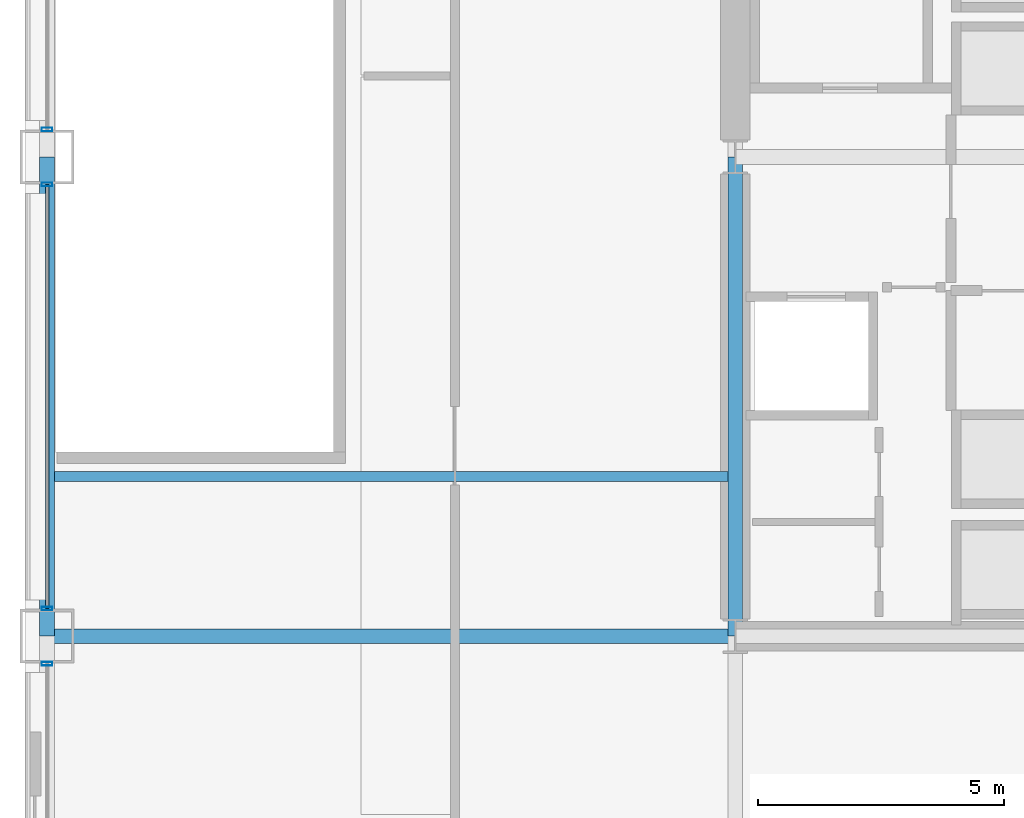
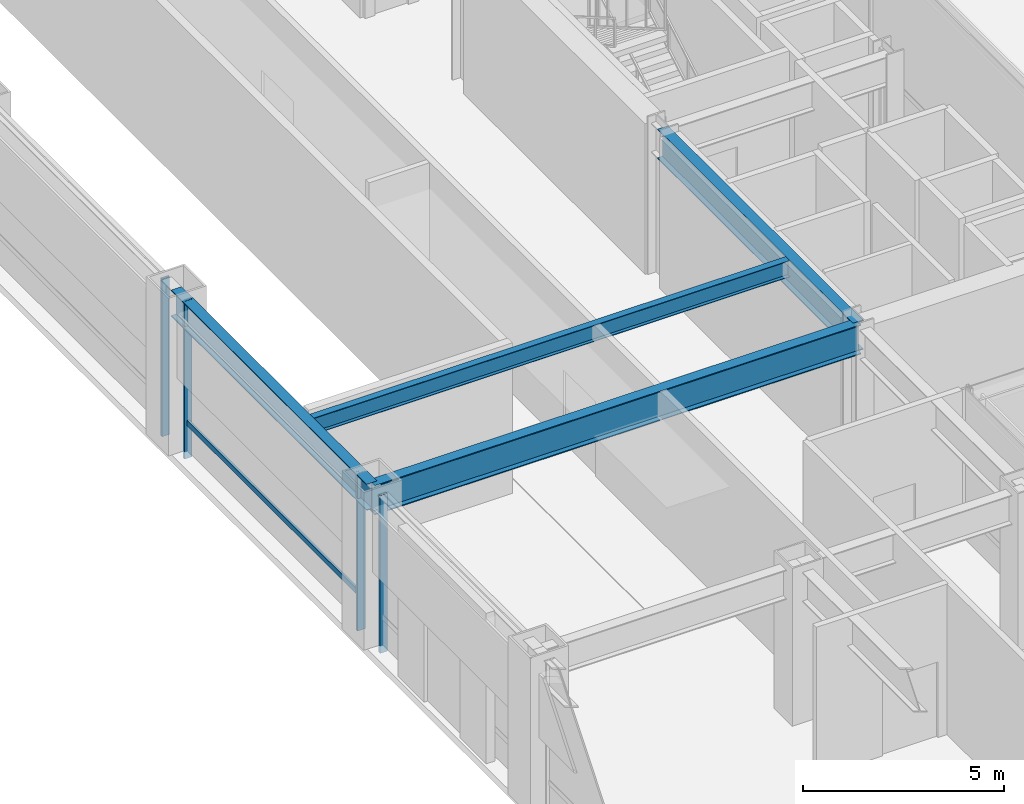
# One storey, part 5 of 37: 5 members, 4 beams, 3 elements without a shape of their own.
"""IFC4 building model written with IfcOpenShell, lengths in metres."""

import ifcopenshell
import ifcopenshell.guid

model = None  # the IFC model being written
_history = None  # IfcOwnerHistory: only IFC2X3 demands one
_inside = {}  # id of a spatial element -> (the spatial element, [elements in it])
_under = {}  # id of a project, library or spatial element -> (it, [spatial elements below it])
_declared = {}  # id of a project -> (the project, [libraries it declares])
_typed = {}  # id of a type object -> (the type object, [elements of that type])
_made_of = {}  # id of a material, layer set ... -> (it, [elements and type objects made of it])


def new_model(schema):
    """Start an empty IFC model of exactly this schema.

    Asked for "IFC4X3", IfcOpenShell would pick the latest addendum, in which some entities
    have other attributes; the version numbers below select the first issue.
    IFC2X3 requires an IfcOwnerHistory on every rooted entity: one is made here for all.
    """
    global model, _history
    if schema == "IFC4X3":
        model = ifcopenshell.file(schema_version=(4, 3, 0, 0))
    else:
        model = ifcopenshell.file(schema=schema)
    _inside.clear()
    _under.clear()
    _declared.clear()
    _typed.clear()
    _made_of.clear()
    _history = None
    if model.schema == "IFC2X3":
        org = make("IfcOrganization", Name="unknown")
        user = make(
            "IfcPersonAndOrganization",
            ThePerson=make("IfcPerson", FamilyName="unknown"),
            TheOrganization=org,
        )
        app = make(
            "IfcApplication",
            ApplicationDeveloper=org,
            Version="unknown",
            ApplicationFullName="unknown",
            ApplicationIdentifier="unknown",
        )
        _history = make(
            "IfcOwnerHistory",
            OwningUser=user,
            OwningApplication=app,
            ChangeAction="ADDED",
            CreationDate=0,
        )
    return model


def make(cls, **values):
    """One entity of the class cls with the attributes given. An attribute that is None is left unset."""
    return model.create_entity(
        cls, **{name: value for name, value in values.items() if value is not None}
    )


def rooted(cls, **values):
    """An entity with a GlobalId (a new one), such as an element, a storey or a relation."""
    return make(cls, GlobalId=ifcopenshell.guid.new(), OwnerHistory=_history, **values)


def si_unit(unit_type, name, prefix=None):
    """IfcSIUnit, for example si_unit("LENGTHUNIT", "METRE", prefix="MILLI")."""
    return make("IfcSIUnit", UnitType=unit_type, Prefix=prefix, Name=name)


def assignment(units):
    """IfcUnitAssignment: the units of a project."""
    return None if units is None else make("IfcUnitAssignment", Units=units)


def point(xyz):
    """IfcCartesianPoint."""
    return None if xyz is None else make("IfcCartesianPoint", Coordinates=xyz)


def direction(xyz):
    """IfcDirection."""
    return None if xyz is None else make("IfcDirection", DirectionRatios=xyz)


def frame(location, z_axis=None, x_axis=None):
    """IfcAxis2Placement3D, a coordinate frame: its origin and axes. An axis left out is left unset."""
    return make(
        "IfcAxis2Placement3D",
        Location=point(location),
        Axis=direction(z_axis),
        RefDirection=direction(x_axis),
    )


def frame_2d(location, x_axis=None):
    """IfcAxis2Placement2D, a coordinate frame in the plane: its origin and x axis."""
    return make(
        "IfcAxis2Placement2D", Location=point(location), RefDirection=direction(x_axis)
    )


def origin():
    """The frame at (0, 0, 0) with its axes left unset."""
    return frame((0.0, 0.0, 0.0))


def origin_2d():
    """The frame at (0, 0) in the plane with its x axis left unset."""
    return frame_2d((0.0, 0.0))


def place(relative_to, where):
    """IfcLocalPlacement: puts the frame where relative to a parent placement (None: the world)."""
    return make(
        "IfcLocalPlacement", PlacementRelTo=relative_to, RelativePlacement=where
    )


def context(
    kind, dimensions, precision=None, world=None, true_north=None, identifier=None
):
    """IfcGeometricRepresentationContext, for example the 3D "Model" context."""
    return make(
        "IfcGeometricRepresentationContext",
        ContextIdentifier=identifier,
        ContextType=kind,
        CoordinateSpaceDimension=dimensions,
        Precision=precision,
        WorldCoordinateSystem=world,
        TrueNorth=true_north,
    )


def subcontext(parent, identifier, kind, view, scale=None):
    """IfcGeometricRepresentationSubContext, for example "Body" below "Model"."""
    return make(
        "IfcGeometricRepresentationSubContext",
        ContextIdentifier=identifier,
        ContextType=kind,
        ParentContext=parent,
        TargetScale=scale,
        TargetView=view,
    )


def project(units=None, contexts=None):
    """IfcProject with its units and contexts."""
    return rooted(
        "IfcProject",
        Name="project",
        RepresentationContexts=contexts,
        UnitsInContext=assignment(units),
    )


def spatial(cls, under=None, at=None, **own):
    """A site, building, storey or space (cls), placed at a placement, below another one or the project."""
    s = rooted(cls, ObjectPlacement=at, **own)
    if under is not None:
        _under.setdefault(under.id(), (under, []))[1].append(s)
    return s


def profile(cls, at=None, kind="AREA", **sizes):
    """A parametric profile (cls). Its sizes go by their IFC names, for example OverallWidth=200.0."""
    return make(cls, ProfileType=kind, Position=at, **sizes)


def hollow_rectangle(**sizes):
    """IfcRectangleHollowProfileDef."""
    return profile("IfcRectangleHollowProfileDef", **sizes)


def i_section(**sizes):
    """IfcIShapeProfileDef."""
    return profile("IfcIShapeProfileDef", **sizes)


def extrude(swept, where, along, depth):
    """IfcExtrudedAreaSolid: the profile swept, set in the frame where, extruded along a direction by depth."""
    return make(
        "IfcExtrudedAreaSolid",
        SweptArea=swept,
        Position=where,
        ExtrudedDirection=direction(along),
        Depth=depth,
    )


def shape(context_of_items, identifier, shape_type, items):
    """IfcShapeRepresentation: the items that make up one representation, for example the "Body"."""
    return make(
        "IfcShapeRepresentation",
        ContextOfItems=context_of_items,
        RepresentationIdentifier=identifier,
        RepresentationType=shape_type,
        Items=items,
    )


def material(Name=None, Category=None):
    """IfcMaterial."""
    return make("IfcMaterial", Name=Name, Category=Category)


def layer(
    of_material, thickness, ventilated=None, Name=None, Category=None, Priority=None
):
    """IfcMaterialLayer: one layer of a wall or slab, of a material (None: an air gap)."""
    return make(
        "IfcMaterialLayer",
        Material=of_material,
        LayerThickness=thickness,
        IsVentilated=ventilated,
        Name=Name,
        Category=Category,
        Priority=Priority,
    )


def layer_set(layers, Name=None):
    """IfcMaterialLayerSet."""
    return make("IfcMaterialLayerSet", MaterialLayers=layers, LayerSetName=Name)


def material_profile(
    of_material, cross_section, Name=None, Category=None, Priority=None
):
    """IfcMaterialProfile: a cross section and its material."""
    return make(
        "IfcMaterialProfile",
        Name=Name,
        Material=of_material,
        Profile=cross_section,
        Priority=Priority,
        Category=Category,
    )


def profile_set(profiles, Name=None, composite=None):
    """IfcMaterialProfileSet."""
    return make(
        "IfcMaterialProfileSet",
        Name=Name,
        MaterialProfiles=profiles,
        CompositeProfile=composite,
    )


def made_of(thing, what):
    """Note that an element or type object is made of a material, layer set ...; save() writes the relation."""
    if what is not None:
        _made_of.setdefault(what.id(), (what, []))[1].append(thing)
    return thing


def type_object(cls, material=None, **own):
    """A type object (cls), such as IfcWallType, which elements share."""
    return made_of(rooted(cls, **own), material)


def element(
    cls,
    number,
    at=None,
    inside=None,
    cuts=None,
    type_object=None,
    material=None,
    context=None,
    identifier="Body",
    shape_type=None,
    held_by="IfcProductDefinitionShape",
    body=None,
    shapes=None,
    **own,
):
    """One element of the class cls, such as IfcWall. Its Tag is "e" and its number.

    at: its placement. inside: the storey or other place that contains it. cuts: it is an
    opening in that element (IfcRelVoidsElement). A single representation is given by context,
    identifier, shape_type and body (its items); several are given by shapes. held_by: the class
    of the entity that holds the representations. save() writes the other relations.
    """
    e = rooted(cls, Tag="e%d" % number, ObjectPlacement=at, **own)
    if body is not None:
        shapes = [shape(context, identifier, shape_type, body)]
    if shapes is not None:
        e.Representation = make(held_by, Representations=shapes)
    if inside is not None:
        _inside.setdefault(inside.id(), (inside, []))[1].append(e)
    if cuts is not None:
        rooted(
            "IfcRelVoidsElement", RelatingBuildingElement=cuts, RelatedOpeningElement=e
        )
    if type_object is not None:
        _typed.setdefault(type_object.id(), (type_object, []))[1].append(e)
    return made_of(e, material)


def aggregate(whole, parts):
    """IfcRelAggregates: a whole, such as a stair, and the parts it consists of."""
    return rooted("IfcRelAggregates", RelatingObject=whole, RelatedObjects=parts)


def save(model, path):
    """Write the relations noted so far, then the file.

    IfcRelAggregates (storeys below a building ...), IfcRelContainedInSpatialStructure (elements
    in a storey), IfcRelDefinesByType, IfcRelAssociatesMaterial and IfcRelDeclares: one each for
    every whole, place, type object, material and project.
    """
    for whole, parts in _under.values():
        aggregate(whole, parts)
    for where, things in _inside.values():
        rooted(
            "IfcRelContainedInSpatialStructure",
            RelatedElements=things,
            RelatingStructure=where,
        )
    for kind, things in _typed.values():
        rooted("IfcRelDefinesByType", RelatedObjects=things, RelatingType=kind)
    for what, things in _made_of.values():
        rooted("IfcRelAssociatesMaterial", RelatedObjects=things, RelatingMaterial=what)
    for by, libraries in _declared.values():
        rooted("IfcRelDeclares", RelatingContext=by, RelatedDefinitions=libraries)
    model.write(path)


model = new_model("IFC4")

# Units and contexts
model_context = context("Model", 3, precision=1e-05, world=origin(), true_north=direction((0.0, 1.0)))
body_context = subcontext(model_context, "Body", "Model", "MODEL_VIEW")
ifc_project = project(units=[si_unit("LENGTHUNIT", "METRE"), si_unit("AREAUNIT", "SQUARE_METRE"), si_unit("VOLUMEUNIT", "CUBIC_METRE"), si_unit("PLANEANGLEUNIT", "RADIAN"), si_unit("MASSUNIT", "GRAM", prefix="KILO")], contexts=[model_context])

# Site, building, storey
site_placement = place(None, origin())
site = spatial("IfcSite", under=ifc_project, at=site_placement, CompositionType="ELEMENT")
building_placement = place(site_placement, origin())
building = spatial("IfcBuilding", under=site, at=building_placement, Name="Brelmoor Portico Tower", CompositionType="ELEMENT")
storey_placement = place(building_placement, origin())
storey = spatial("IfcBuildingStorey", under=building, at=storey_placement, Name="L00", CompositionType="ELEMENT", Elevation=0.0)

# Beams
ifc_material_1 = material(Name="Steel Q355B", Category="steel")
ifc_material_profile_1 = material_profile(ifc_material_1, i_section(OverallWidth=0.199951171875, OverallDepth=0.5, WebThickness=0.010009765625, FlangeThickness=0.01611328125, at=origin_2d()), Name="HN 500x200x10x16")
ifc_profile_set_1 = profile_set([ifc_material_profile_1], Name="Steel Q355B")
beam_type_1 = type_object("IfcBeamType", Name="BM-JS-500", PredefinedType="JOIST", material=ifc_profile_set_1)
beam_1_placement = place(storey_placement, frame((-28.39990234375, -6.5, 4.330078125), z_axis=(1.0, 0.0, 0.0), x_axis=(0.0, 1.0, 0.0)))
element("IfcBeam", 1, at=beam_1_placement, inside=storey, type_object=beam_type_1, Name="L00 Secondary Wing Joist JS-W01", PredefinedType="JOIST", context=body_context, shape_type="SweptSolid", body=[
    extrude(i_section(OverallWidth=0.199951171875, OverallDepth=0.5, WebThickness=0.010009765625, FlangeThickness=0.01611328125, at=origin_2d()), origin(), (0.0, 0.0, 1.0), 13.699951171875),
])
ifc_material_profile_2 = material_profile(ifc_material_1, i_section(OverallWidth=0.300048828125, OverallDepth=0.89990234375, WebThickness=0.01611328125, FlangeThickness=0.028076171875, at=origin_2d()), Name="HN 900x300x16x28")
ifc_profile_set_2 = profile_set([ifc_material_profile_2], Name="Steel Q355B")
beam_type_2 = type_object("IfcBeamType", Name="BM-PG-900", PredefinedType="BEAM", material=ifc_profile_set_2)
beam_2_placement = place(storey_placement, frame((-14.550048828125, -9.75, 4.1298828125), z_axis=(0.0, 1.0, 0.0), x_axis=(-1.0, 0.0, 0.0)))
element("IfcBeam", 2, at=beam_2_placement, inside=storey, type_object=beam_type_2, Name="L00 Primary Floor Girder PG-06", PredefinedType="BEAM", context=body_context, shape_type="SweptSolid", body=[
    extrude(i_section(OverallWidth=0.300048828125, OverallDepth=0.89990234375, WebThickness=0.01611328125, FlangeThickness=0.028076171875, at=origin_2d()), origin(), (0.0, 0.0, 1.0), 9.75),
])
beam_3_placement = place(storey_placement, frame((-28.550048828125, -9.75, 4.1298828125), z_axis=(1.0, 0.0, 0.0), x_axis=(0.0, 1.0, 0.0)))
element("IfcBeam", 3, at=beam_3_placement, inside=storey, type_object=beam_type_2, Name="L00 Primary Floor Girder PG-25", PredefinedType="BEAM", context=body_context, shape_type="SweptSolid", body=[
    extrude(i_section(OverallWidth=0.300048828125, OverallDepth=0.89990234375, WebThickness=0.01611328125, FlangeThickness=0.028076171875, at=origin_2d()), origin(), (0.0, 0.0, 1.0), 14.0),
])
ifc_material_profile_3 = material_profile(ifc_material_1, i_section(OverallWidth=0.300048828125, OverallDepth=0.800048828125, WebThickness=0.013916015625, FlangeThickness=0.02587890625, at=origin_2d()), Name="HN 800x300x14x26")
ifc_profile_set_3 = profile_set([ifc_material_profile_3], Name="Steel Q355B")
beam_type_3 = type_object("IfcBeamType", Name="BM-SP-800", PredefinedType="SPANDREL", material=ifc_profile_set_3)
beam_4_placement = place(storey_placement, frame((-28.550048828125, -9.75, 4.179931640625), z_axis=(0.0, 1.0, 0.0), x_axis=(-1.0, 0.0, 0.0)))
element("IfcBeam", 4, at=beam_4_placement, inside=storey, type_object=beam_type_3, Name="L00 Perimeter Spandrel Beam SP-11", PredefinedType="SPANDREL", context=body_context, shape_type="SweptSolid", body=[
    extrude(i_section(OverallWidth=0.300048828125, OverallDepth=0.800048828125, WebThickness=0.013916015625, FlangeThickness=0.02587890625, at=origin_2d()), origin(), (0.0, 0.0, 1.0), 9.75),
])

# Curtain wall, member
ifc_material_2 = material(Name="Anodised Aluminium Alloy 6063-T6", Category="aluminium")
ifc_layer = layer(ifc_material_2, 0.179931640625)
ifc_layer_set = layer_set([ifc_layer], Name="Anodised Aluminium Alloy 6063-T6")
curtain_wall_type = type_object("IfcCurtainWallType", Name="CW-PODIUM-ARCH", PredefinedType="NOTDEFINED", material=ifc_layer_set)
curtain_wall_1_placement = place(storey_placement, origin())
curtain_wall_1 = element("IfcCurtainWall", 5, at=curtain_wall_1_placement, inside=storey, type_object=curtain_wall_type, Name="L00 Curtain Wall CW-L00-05-2", PredefinedType="NOTDEFINED")
ifc_material_profile_4 = material_profile(ifc_material_2, hollow_rectangle(XDim=0.074951171875, YDim=0.219970703125, WallThickness=0.0048828125, at=origin_2d()), Name="ALU MULLION 75x220")
ifc_profile_set_4 = profile_set([ifc_material_profile_4], Name="Anodised Aluminium Alloy 6063-T6")
member_type_1 = type_object("IfcMemberType", Name="MB-CW-MULL-220", PredefinedType="MULLION", material=ifc_profile_set_4)
member_1_placement = place(storey_placement, frame((-28.550048828125, -10.31005859375, -0.219970703125), z_axis=(0.0, 0.0, 1.0), x_axis=(0.0, 1.0, 0.0)))
member_1 = element("IfcMember", 6, at=member_1_placement, type_object=member_type_1, Name="CW-L00-05-2 Mullion 01", PredefinedType="MULLION", context=body_context, shape_type="SweptSolid", body=[
    extrude(hollow_rectangle(XDim=0.074951171875, YDim=0.219970703125, WallThickness=0.0048828125, at=origin_2d()), origin(), (0.0, 0.0, 1.0), 4.800048828125),
])
aggregate(curtain_wall_1, [member_1])

# Curtain wall, members
curtain_wall_2_placement = place(storey_placement, origin())
curtain_wall_2 = element("IfcCurtainWall", 7, at=curtain_wall_2_placement, inside=storey, type_object=curtain_wall_type, Name="L00 Curtain Wall CW-L00-05-3", PredefinedType="NOTDEFINED")
member_2_placement = place(storey_placement, frame((-28.550048828125, -9.18994140625, -0.219970703125), z_axis=(0.0, 0.0, 1.0), x_axis=(0.0, 1.0, 0.0)))
member_2 = element("IfcMember", 8, at=member_2_placement, type_object=member_type_1, Name="CW-L00-05-3 Mullion 00", PredefinedType="MULLION", context=body_context, shape_type="SweptSolid", body=[
    extrude(hollow_rectangle(XDim=0.074951171875, YDim=0.219970703125, WallThickness=0.0048828125, at=origin_2d()), origin(), (0.0, 0.0, 1.0), 4.800048828125),
])
member_3_placement = place(storey_placement, frame((-28.550048828125, -0.56005859375, -0.219970703125), z_axis=(0.0, 0.0, 1.0), x_axis=(0.0, 1.0, 0.0)))
member_3 = element("IfcMember", 9, at=member_3_placement, type_object=member_type_1, Name="CW-L00-05-3 Mullion 01", PredefinedType="MULLION", context=body_context, shape_type="SweptSolid", body=[
    extrude(hollow_rectangle(XDim=0.074951171875, YDim=0.219970703125, WallThickness=0.0048828125, at=origin_2d()), origin(), (0.0, 0.0, 1.0), 4.800048828125),
])

# Curtain wall, member
curtain_wall_3_placement = place(storey_placement, origin())
curtain_wall_3 = element("IfcCurtainWall", 10, at=curtain_wall_3_placement, inside=storey, type_object=curtain_wall_type, Name="L00 Curtain Wall CW-L00-05-4", PredefinedType="NOTDEFINED")
member_4_placement = place(storey_placement, frame((-28.550048828125, 0.56005859375, -0.219970703125), z_axis=(0.0, 0.0, 1.0), x_axis=(0.0, 1.0, 0.0)))
member_4 = element("IfcMember", 11, at=member_4_placement, type_object=member_type_1, Name="CW-L00-05-4 Mullion 00", PredefinedType="MULLION", context=body_context, shape_type="SweptSolid", body=[
    extrude(hollow_rectangle(XDim=0.074951171875, YDim=0.219970703125, WallThickness=0.0048828125, at=origin_2d()), origin(), (0.0, 0.0, 1.0), 4.800048828125),
])
aggregate(curtain_wall_3, [member_4])

# Member
ifc_material_profile_5 = material_profile(ifc_material_2, hollow_rectangle(XDim=0.070068359375, YDim=0.159912109375, WallThickness=0.00390625, at=origin_2d()), Name="ALU TRANSOM 70x160")
ifc_profile_set_5 = profile_set([ifc_material_profile_5], Name="Anodised Aluminium Alloy 6063-T6")
member_type_2 = type_object("IfcMemberType", Name="MB-CW-TRAN-160", PredefinedType="USERDEFINED", material=ifc_profile_set_5)
member_5_placement = place(storey_placement, frame((-28.550048828125, -9.18994140625, 0.85009765625), z_axis=(0.0, 1.0, 0.0), x_axis=(-1.0, 0.0, 0.0)))
member_5 = element("IfcMember", 12, at=member_5_placement, type_object=member_type_2, Name="CW-L00-05-3 Transom 1-00", ObjectType="TRANSOM", PredefinedType="USERDEFINED", context=body_context, shape_type="SweptSolid", body=[
    extrude(hollow_rectangle(XDim=0.070068359375, YDim=0.159912109375, WallThickness=0.00390625, at=origin_2d()), origin(), (0.0, 0.0, 1.0), 8.6298828125),
])

aggregate(curtain_wall_2, [member_2, member_3, member_5])

save(model, "model.ifc")
